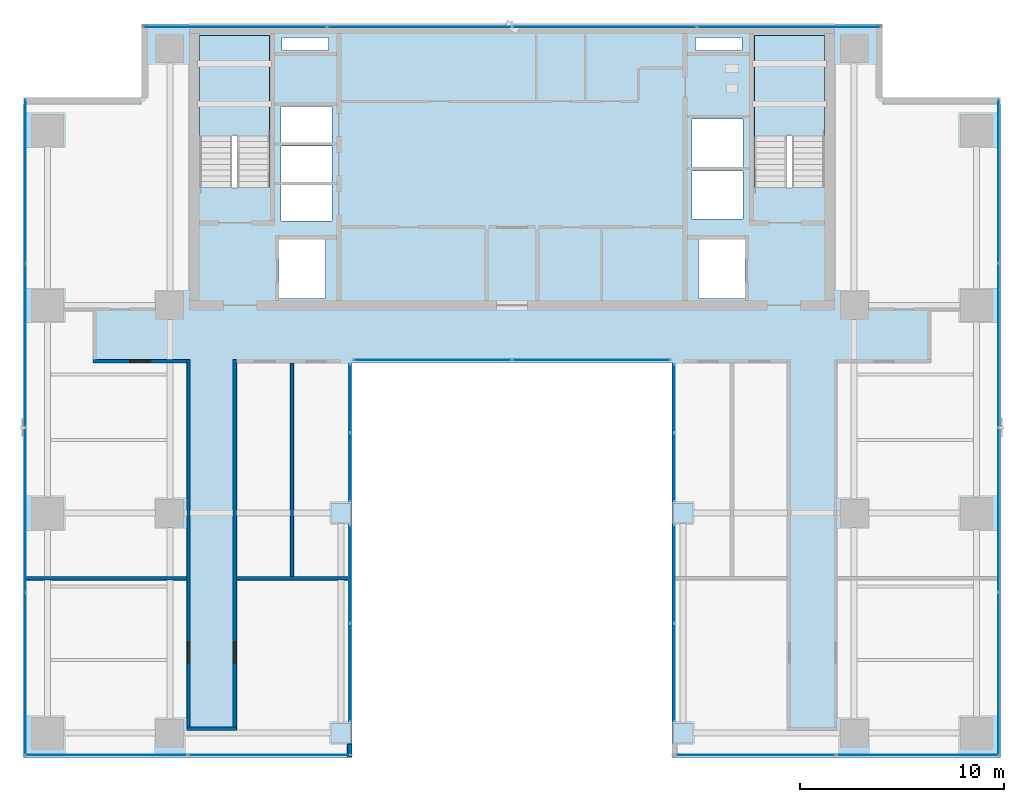
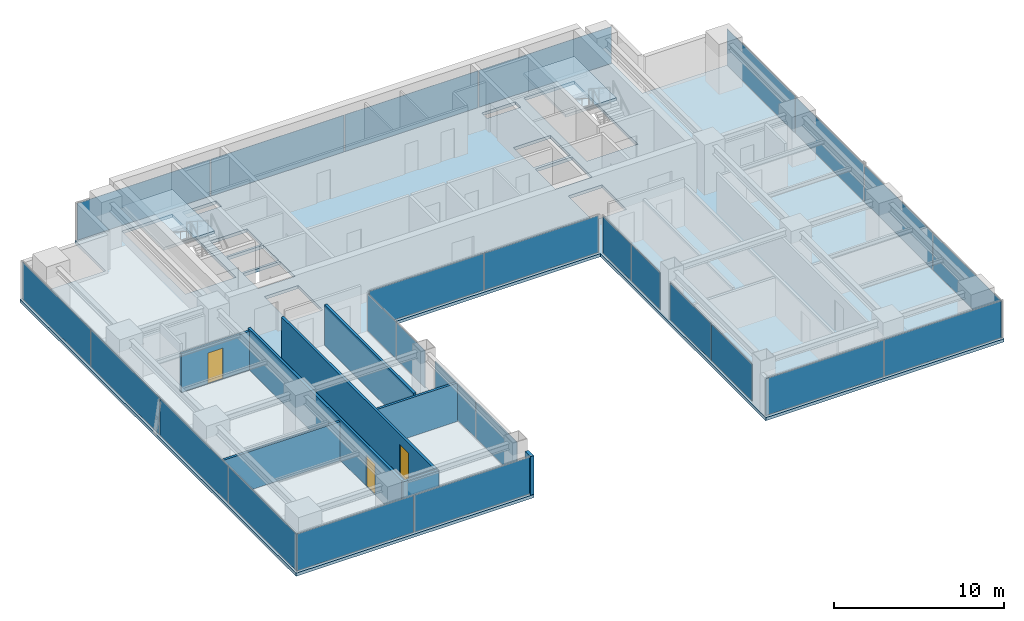
# One storey, part 23 of 29: 26 plates, 8 walls, 3 doors, 3 slabs, 3 openings, 12 elements without a shape of their own.
"""IFC4 building model written with IfcOpenShell, lengths in metres."""

from ifc_helpers import new_model, si_unit, direction, frame, frame_2d, origin, origin_2d, place, context, subcontext, project, spatial, polyline, rectangle, outline, extrude, source, transform, mapped, material, layer, layer_set, type_object, element, fill, aggregate, save


model = new_model("IFC4")

# Units and contexts
model_context = context("Model", 3, precision=1e-05, world=origin(), true_north=direction((0.0, 1.0)))
body_context = subcontext(model_context, "Body", "Model", "MODEL_VIEW")
ifc_project = project(units=[si_unit("LENGTHUNIT", "METRE"), si_unit("AREAUNIT", "SQUARE_METRE"), si_unit("VOLUMEUNIT", "CUBIC_METRE"), si_unit("PLANEANGLEUNIT", "RADIAN"), si_unit("MASSUNIT", "GRAM", prefix="KILO")], contexts=[model_context])

# Site, building, storey
site_placement = place(None, origin())
site = spatial("IfcSite", under=ifc_project, at=site_placement, CompositionType="ELEMENT")
building_placement = place(site_placement, origin())
building = spatial("IfcBuilding", under=site, at=building_placement, Name="Sumidabori Civic Tower", CompositionType="ELEMENT")
storey_placement = place(building_placement, frame((0.0, 0.0, 218.0)))
storey = spatial("IfcBuildingStorey", under=building, at=storey_placement, Name="L56", CompositionType="ELEMENT", Elevation=218.0)

# Stair, slab
ifc_material_1 = material(Name="Concrete C40/50", Category="concrete")
stair_type = type_object("IfcStairType", Name="ST-CORE-1600", PredefinedType="HALF_TURN_STAIR", material=ifc_material_1)
stair_1_placement = place(storey_placement, origin())
stair_1 = element("IfcStair", 1, at=stair_1_placement, inside=storey, type_object=stair_type, Name="L56 ST-1", PredefinedType="HALF_TURN_STAIR")
ifc_layer_1 = layer(ifc_material_1, 0.199951171875, Name="Concrete C40/50")
ifc_layer_set_1 = layer_set([ifc_layer_1], Name="Concrete C40/50")
slab_type_1 = type_object("IfcSlabType", Name="SL-LAND-200", PredefinedType="LANDING", material=ifc_layer_set_1)
slab_1_placement = place(storey_placement, frame((0.0, 0.0, 1.60009765625)))
slab_1 = element("IfcSlab", 2, at=slab_1_placement, type_object=slab_type_1, Name="ST-1 landing 1", PredefinedType="LANDING", context=body_context, shape_type="SweptSolid", body=[
    extrude(outline(polyline([(-11.89990234375, 18.52001953125), (-11.89990234375, 23.449951171875), (-15.340087890625, 23.449951171875), (-15.340087890625, 18.52001953125), (-11.89990234375, 18.52001953125)])), origin(), (0.0, 0.0, 1.0), 0.199951171875),
])
aggregate(stair_1, [slab_1])

stair_2_placement = place(storey_placement, origin())
stair_2 = element("IfcStair", 3, at=stair_2_placement, inside=storey, type_object=stair_type, Name="L56 ST-2", PredefinedType="HALF_TURN_STAIR")
slab_2_placement = place(storey_placement, frame((0.0, 0.0, 1.60009765625)))
slab_2 = element("IfcSlab", 4, at=slab_2_placement, type_object=slab_type_1, Name="ST-2 landing 1", PredefinedType="LANDING", context=body_context, shape_type="SweptSolid", body=[
    extrude(outline(polyline([(15.340087890625, 18.52001953125), (15.340087890625, 23.449951171875), (11.89990234375, 23.449951171875), (11.89990234375, 18.52001953125), (15.340087890625, 18.52001953125)])), origin(), (0.0, 0.0, 1.0), 0.199951171875),
])
aggregate(stair_2, [slab_2])

# Slab
ifc_layer_2 = layer(ifc_material_1, 0.219970703125, Name="Concrete C40/50")
ifc_layer_set_2 = layer_set([ifc_layer_2], Name="Concrete C40/50")
slab_type_2 = type_object("IfcSlabType", Name="SL-Z3-220", PredefinedType="FLOOR", material=ifc_layer_set_2)
slab_3_placement = place(storey_placement, frame((0.0, 0.0, -0.219970703125)))
element("IfcSlab", 5, at=slab_3_placement, inside=storey, type_object=slab_type_2, Name="Structural Slab L56", PredefinedType="FLOOR", context=body_context, shape_type="SweptSolid", body=[
    extrude(outline(polyline([(-24.0, -12.0), (-7.85009765625, -12.0), (-7.85009765625, 7.39990234375), (7.85009765625, 7.39990234375), (7.85009765625, -12.0), (24.0, -12.0), (24.0, 20.39990234375), (18.199951171875, 20.39990234375), (18.199951171875, 24.0), (-18.199951171875, 24.0), (-18.199951171875, 20.39990234375), (-24.0, 20.39990234375), (-24.0, -12.0)]), holes=[polyline([(-11.89990234375, 16.0), (-11.89990234375, 23.449951171875), (-15.340087890625, 23.449951171875), (-15.340087890625, 16.0), (-11.89990234375, 16.0)]), polyline([(15.340087890625, 16.0), (15.340087890625, 23.449951171875), (11.89990234375, 23.449951171875), (11.89990234375, 16.0), (15.340087890625, 16.0)]), polyline([(-11.449951171875, 10.550048828125), (-9.14990234375, 10.550048828125), (-9.14990234375, 13.449951171875), (-11.449951171875, 13.449951171875), (-11.449951171875, 10.550048828125)]), polyline([(9.14990234375, 10.550048828125), (11.449951171875, 10.550048828125), (11.449951171875, 13.449951171875), (9.14990234375, 13.449951171875), (9.14990234375, 10.550048828125)]), polyline([(-11.35009765625, 14.35009765625), (-8.85009765625, 14.35009765625), (-8.85009765625, 16.1201171875), (-11.35009765625, 16.1201171875), (-11.35009765625, 14.35009765625)]), polyline([(-11.35009765625, 16.27001953125), (-8.85009765625, 16.27001953125), (-8.85009765625, 18.0400390625), (-11.35009765625, 18.0400390625), (-11.35009765625, 16.27001953125)]), polyline([(-11.35009765625, 18.18994140625), (-8.85009765625, 18.18994140625), (-8.85009765625, 19.9599609375), (-11.35009765625, 19.9599609375), (-11.35009765625, 18.18994140625)]), polyline([(8.85009765625, 14.449951171875), (11.35009765625, 14.449951171875), (11.35009765625, 16.800048828125), (8.85009765625, 16.800048828125), (8.85009765625, 14.449951171875)]), polyline([(8.85009765625, 17.0), (11.35009765625, 17.0), (11.35009765625, 19.35009765625), (8.85009765625, 19.35009765625), (8.85009765625, 17.0)]), polyline([(-11.300048828125, 22.719970703125), (-9.0, 22.719970703125), (-9.0, 23.35009765625), (-11.300048828125, 23.35009765625), (-11.300048828125, 22.719970703125)]), polyline([(9.0, 22.719970703125), (11.300048828125, 22.719970703125), (11.300048828125, 23.35009765625), (9.0, 23.35009765625), (9.0, 22.719970703125)])]), origin(), (0.0, 0.0, 1.0), 0.219970703125),
])

# Curtain wall, plates
ifc_material_2 = material(Name="Anodised Bronze Aluminium AW-6063-T6", Category="aluminium")
ifc_layer_3 = layer(ifc_material_2, 0.179931640625, Name="Anodised Bronze Aluminium AW-6063-T6")
ifc_layer_set_3 = layer_set([ifc_layer_3], Name="Anodised Bronze Aluminium AW-6063-T6")
curtain_wall_type_1 = type_object("IfcCurtainWallType", Name="CW-SYS-5", PredefinedType="NOTDEFINED", material=ifc_layer_set_3)
curtain_wall_1_placement = place(storey_placement, origin())
curtain_wall_1 = element("IfcCurtainWall", 6, at=curtain_wall_1_placement, inside=storey, type_object=curtain_wall_type_1, Name="Curtain Wall CW:L56:R01", PredefinedType="NOTDEFINED")
ifc_material_3 = material(Name="Low-E Solar-Control Vision Glazing", Category="glass")
ifc_layer_4 = layer(ifc_material_3, 0.028076171875, Name="Low-E Solar-Control Vision Glazing")
ifc_layer_set_4 = layer_set([ifc_layer_4], Name="Low-E Solar-Control Vision Glazing")
plate_type_1 = type_object("IfcPlateType", Name="CW-PNL-28", PredefinedType="CURTAIN_PANEL", material=ifc_layer_set_4)
shared_shape_1 = source(origin(), body_context, "Body", "SweptSolid", [
    extrude(rectangle(XDim=7.955078125, YDim=0.028076171875, at=origin_2d()), origin(), (0.0, 0.0, 1.0), 2.639892578125),
])
plate_1_placement = place(storey_placement, frame((-19.9326171875, -11.8798828125, 0.06005859375), z_axis=(0.0, 0.0, 1.0), x_axis=(1.0, 0.0, 0.0)))
plate_1 = element("IfcPlate", 7, at=plate_1_placement, type_object=plate_type_1, Name="CW-5 panel 1.1", PredefinedType="CURTAIN_PANEL", context=body_context, shape_type="MappedRepresentation", body=[
    mapped(shared_shape_1, transform((0.0, 0.0, 0.0), x_axis=(1.0, 0.0, 0.0), y_axis=(0.0, 1.0, 0.0), z_axis=(0.0, 0.0, 1.0), scale=1.0)),
])
plate_2_placement = place(storey_placement, frame((-11.91748046875, -11.8798828125, 0.06005859375), z_axis=(0.0, 0.0, 1.0), x_axis=(1.0, 0.0, 0.0)))
plate_2 = element("IfcPlate", 8, at=plate_2_placement, type_object=plate_type_1, Name="CW-5 panel 2.1", PredefinedType="CURTAIN_PANEL", context=body_context, shape_type="MappedRepresentation", body=[
    mapped(shared_shape_1, transform((0.0, 0.0, 0.0), x_axis=(1.0, 0.0, 0.0), y_axis=(0.0, 1.0, 0.0), z_axis=(0.0, 0.0, 1.0), scale=1.0)),
])
aggregate(curtain_wall_1, [plate_1, plate_2])

curtain_wall_2_placement = place(storey_placement, origin())
curtain_wall_2 = element("IfcCurtainWall", 9, at=curtain_wall_2_placement, inside=storey, type_object=curtain_wall_type_1, Name="Curtain Wall CW:L56:R09", PredefinedType="NOTDEFINED")
plate_3_placement = place(storey_placement, frame((11.91748046875, -11.8798828125, 0.06005859375), z_axis=(0.0, 0.0, 1.0), x_axis=(1.0, 0.0, 0.0)))
plate_3 = element("IfcPlate", 10, at=plate_3_placement, type_object=plate_type_1, Name="CW-5 panel 1.1", PredefinedType="CURTAIN_PANEL", context=body_context, shape_type="MappedRepresentation", body=[
    mapped(shared_shape_1, transform((0.0, 0.0, 0.0), x_axis=(1.0, 0.0, 0.0), y_axis=(0.0, 1.0, 0.0), z_axis=(0.0, 0.0, 1.0), scale=1.0)),
])
plate_4_placement = place(storey_placement, frame((19.9326171875, -11.8798828125, 0.06005859375), z_axis=(0.0, 0.0, 1.0), x_axis=(1.0, 0.0, 0.0)))
plate_4 = element("IfcPlate", 11, at=plate_4_placement, type_object=plate_type_1, Name="CW-5 panel 2.1", PredefinedType="CURTAIN_PANEL", context=body_context, shape_type="MappedRepresentation", body=[
    mapped(shared_shape_1, transform((0.0, 0.0, 0.0), x_axis=(1.0, 0.0, 0.0), y_axis=(0.0, 1.0, 0.0), z_axis=(0.0, 0.0, 1.0), scale=1.0)),
])
aggregate(curtain_wall_2, [plate_3, plate_4])

ifc_layer_5 = layer(ifc_material_2, 0.179931640625, Name="Anodised Bronze Aluminium AW-6063-T6")
ifc_layer_set_5 = layer_set([ifc_layer_5], Name="Anodised Bronze Aluminium AW-6063-T6")
curtain_wall_type_2 = type_object("IfcCurtainWallType", Name="CW-SYS-4", PredefinedType="NOTDEFINED", material=ifc_layer_set_5)
curtain_wall_3_placement = place(storey_placement, origin())
curtain_wall_3 = element("IfcCurtainWall", 12, at=curtain_wall_3_placement, inside=storey, type_object=curtain_wall_type_2, Name="Curtain Wall CW:L56:R03", PredefinedType="NOTDEFINED")
ifc_material_4 = material(Name="Acoustic Laminated Portal Glazing", Category="glass")
ifc_layer_6 = layer(ifc_material_4, 0.030029296875, Name="Acoustic Laminated Portal Glazing")
ifc_layer_set_6 = layer_set([ifc_layer_6], Name="Acoustic Laminated Portal Glazing")
plate_type_2 = type_object("IfcPlateType", Name="CW-PNL-30", PredefinedType="CURTAIN_PANEL", material=ifc_layer_set_6)
shared_shape_2 = source(origin(), body_context, "Body", "SweptSolid", [
    extrude(rectangle(XDim=4.780029296875, YDim=0.030029296875, at=origin_2d()), origin(), (0.0, 0.0, 1.0), 2.639892578125),
])
plate_5_placement = place(storey_placement, frame((-7.969970703125, -7.820068359375, 0.06005859375), z_axis=(0.0, 0.0, 1.0), x_axis=(0.0, 1.0, 0.0)))
plate_5 = element("IfcPlate", 13, at=plate_5_placement, type_object=plate_type_2, Name="CW-4 panel 1.1", PredefinedType="CURTAIN_PANEL", context=body_context, shape_type="MappedRepresentation", body=[
    mapped(shared_shape_2, transform((0.0, 0.0, 0.0), x_axis=(1.0, 0.0, 0.0), y_axis=(0.0, 1.0, 0.0), z_axis=(0.0, 0.0, 1.0), scale=1.0)),
])
plate_6_placement = place(storey_placement, frame((-7.969970703125, -2.97998046875, 0.06005859375), z_axis=(0.0, 0.0, 1.0), x_axis=(0.0, 1.0, 0.0)))
plate_6 = element("IfcPlate", 14, at=plate_6_placement, type_object=plate_type_2, Name="CW-4 panel 2.1", PredefinedType="CURTAIN_PANEL", context=body_context, shape_type="MappedRepresentation", body=[
    mapped(shared_shape_2, transform((0.0, 0.0, 0.0), x_axis=(1.0, 0.0, 0.0), y_axis=(0.0, 1.0, 0.0), z_axis=(0.0, 0.0, 1.0), scale=1.0)),
])
aggregate(curtain_wall_3, [plate_5, plate_6])

curtain_wall_4_placement = place(storey_placement, origin())
curtain_wall_4 = element("IfcCurtainWall", 15, at=curtain_wall_4_placement, inside=storey, type_object=curtain_wall_type_2, Name="Curtain Wall CW:L56:R07", PredefinedType="NOTDEFINED")
plate_7_placement = place(storey_placement, frame((7.969970703125, -2.97998046875, 0.06005859375), z_axis=(0.0, 0.0, 1.0), x_axis=(0.0, -1.0, 0.0)))
plate_7 = element("IfcPlate", 16, at=plate_7_placement, type_object=plate_type_2, Name="CW-4 panel 1.1", PredefinedType="CURTAIN_PANEL", context=body_context, shape_type="MappedRepresentation", body=[
    mapped(shared_shape_2, transform((0.0, 0.0, 0.0), x_axis=(1.0, 0.0, 0.0), y_axis=(0.0, 1.0, 0.0), z_axis=(0.0, 0.0, 1.0), scale=1.0)),
])
plate_8_placement = place(storey_placement, frame((7.969970703125, -7.820068359375, 0.06005859375), z_axis=(0.0, 0.0, 1.0), x_axis=(0.0, -1.0, 0.0)))
plate_8 = element("IfcPlate", 17, at=plate_8_placement, type_object=plate_type_2, Name="CW-4 panel 2.1", PredefinedType="CURTAIN_PANEL", context=body_context, shape_type="MappedRepresentation", body=[
    mapped(shared_shape_2, transform((0.0, 0.0, 0.0), x_axis=(1.0, 0.0, 0.0), y_axis=(0.0, 1.0, 0.0), z_axis=(0.0, 0.0, 1.0), scale=1.0)),
])
aggregate(curtain_wall_4, [plate_7, plate_8])

curtain_wall_5_placement = place(storey_placement, origin())
curtain_wall_5 = element("IfcCurtainWall", 18, at=curtain_wall_5_placement, inside=storey, type_object=curtain_wall_type_2, Name="Curtain Wall CW:L56:R04", PredefinedType="NOTDEFINED")
shared_shape_3 = source(origin(), body_context, "Body", "SweptSolid", [
    extrude(rectangle(XDim=3.330078125, YDim=0.030029296875, at=origin_2d()), origin(), (0.0, 0.0, 1.0), 2.639892578125),
])
plate_9_placement = place(storey_placement, frame((-7.969970703125, 2.2548828125, 0.06005859375), z_axis=(0.0, 0.0, 1.0), x_axis=(0.0, 1.0, 0.0)))
plate_9 = element("IfcPlate", 19, at=plate_9_placement, type_object=plate_type_2, Name="CW-4 panel 1.1", PredefinedType="CURTAIN_PANEL", context=body_context, shape_type="MappedRepresentation", body=[
    mapped(shared_shape_3, transform((0.0, 0.0, 0.0), x_axis=(1.0, 0.0, 0.0), y_axis=(0.0, 1.0, 0.0), z_axis=(0.0, 0.0, 1.0), scale=1.0)),
])
plate_10_placement = place(storey_placement, frame((-7.969970703125, 5.64501953125, 0.06005859375), z_axis=(0.0, 0.0, 1.0), x_axis=(0.0, 1.0, 0.0)))
plate_10 = element("IfcPlate", 20, at=plate_10_placement, type_object=plate_type_2, Name="CW-4 panel 2.1", PredefinedType="CURTAIN_PANEL", context=body_context, shape_type="MappedRepresentation", body=[
    mapped(shared_shape_3, transform((0.0, 0.0, 0.0), x_axis=(1.0, 0.0, 0.0), y_axis=(0.0, 1.0, 0.0), z_axis=(0.0, 0.0, 1.0), scale=1.0)),
])
aggregate(curtain_wall_5, [plate_9, plate_10])

curtain_wall_6_placement = place(storey_placement, origin())
curtain_wall_6 = element("IfcCurtainWall", 21, at=curtain_wall_6_placement, inside=storey, type_object=curtain_wall_type_2, Name="Curtain Wall CW:L56:R06", PredefinedType="NOTDEFINED")
plate_11_placement = place(storey_placement, frame((7.969970703125, 5.64501953125, 0.06005859375), z_axis=(0.0, 0.0, 1.0), x_axis=(0.0, -1.0, 0.0)))
plate_11 = element("IfcPlate", 22, at=plate_11_placement, type_object=plate_type_2, Name="CW-4 panel 1.1", PredefinedType="CURTAIN_PANEL", context=body_context, shape_type="MappedRepresentation", body=[
    mapped(shared_shape_3, transform((0.0, 0.0, 0.0), x_axis=(1.0, 0.0, 0.0), y_axis=(0.0, 1.0, 0.0), z_axis=(0.0, 0.0, 1.0), scale=1.0)),
])
plate_12_placement = place(storey_placement, frame((7.969970703125, 2.2548828125, 0.06005859375), z_axis=(0.0, 0.0, 1.0), x_axis=(0.0, -1.0, 0.0)))
plate_12 = element("IfcPlate", 23, at=plate_12_placement, type_object=plate_type_2, Name="CW-4 panel 2.1", PredefinedType="CURTAIN_PANEL", context=body_context, shape_type="MappedRepresentation", body=[
    mapped(shared_shape_3, transform((0.0, 0.0, 0.0), x_axis=(1.0, 0.0, 0.0), y_axis=(0.0, 1.0, 0.0), z_axis=(0.0, 0.0, 1.0), scale=1.0)),
])
aggregate(curtain_wall_6, [plate_11, plate_12])

curtain_wall_7_placement = place(storey_placement, origin())
curtain_wall_7 = element("IfcCurtainWall", 24, at=curtain_wall_7_placement, inside=storey, type_object=curtain_wall_type_2, Name="Curtain Wall CW:L56:R05", PredefinedType="NOTDEFINED")
shared_shape_4 = source(origin(), body_context, "Body", "SweptSolid", [
    extrude(rectangle(XDim=7.72998046875, YDim=0.030029296875, at=origin_2d()), origin(), (0.0, 0.0, 1.0), 2.639892578125),
])
plate_13_placement = place(storey_placement, frame((-3.89501953125, 7.52001953125, 0.06005859375), z_axis=(0.0, 0.0, 1.0), x_axis=(1.0, 0.0, 0.0)))
plate_13 = element("IfcPlate", 25, at=plate_13_placement, type_object=plate_type_2, Name="CW-4 panel 1.1", PredefinedType="CURTAIN_PANEL", context=body_context, shape_type="MappedRepresentation", body=[
    mapped(shared_shape_4, transform((0.0, 0.0, 0.0), x_axis=(1.0, 0.0, 0.0), y_axis=(0.0, 1.0, 0.0), z_axis=(0.0, 0.0, 1.0), scale=1.0)),
])
plate_14_placement = place(storey_placement, frame((3.89501953125, 7.52001953125, 0.06005859375), z_axis=(0.0, 0.0, 1.0), x_axis=(1.0, 0.0, 0.0)))
plate_14 = element("IfcPlate", 26, at=plate_14_placement, type_object=plate_type_2, Name="CW-4 panel 2.1", PredefinedType="CURTAIN_PANEL", context=body_context, shape_type="MappedRepresentation", body=[
    mapped(shared_shape_4, transform((0.0, 0.0, 0.0), x_axis=(1.0, 0.0, 0.0), y_axis=(0.0, 1.0, 0.0), z_axis=(0.0, 0.0, 1.0), scale=1.0)),
])
aggregate(curtain_wall_7, [plate_13, plate_14])

curtain_wall_8_placement = place(storey_placement, origin())
curtain_wall_8 = element("IfcCurtainWall", 27, at=curtain_wall_8_placement, inside=storey, type_object=curtain_wall_type_1, Name="Curtain Wall CW:L56:R10", PredefinedType="NOTDEFINED")
shared_shape_5 = source(origin(), body_context, "Body", "SweptSolid", [
    extrude(rectangle(XDim=7.9951171875, YDim=0.028076171875, at=origin_2d()), origin(), (0.0, 0.0, 1.0), 2.639892578125),
])
plate_15_placement = place(storey_placement, frame((23.8798828125, -7.91259765625, 0.06005859375), z_axis=(0.0, 0.0, 1.0), x_axis=(0.0, 1.0, 0.0)))
plate_15 = element("IfcPlate", 28, at=plate_15_placement, type_object=plate_type_1, Name="CW-5 panel 1.1", PredefinedType="CURTAIN_PANEL", context=body_context, shape_type="MappedRepresentation", body=[
    mapped(shared_shape_5, transform((0.0, 0.0, 0.0), x_axis=(1.0, 0.0, 0.0), y_axis=(0.0, 1.0, 0.0), z_axis=(0.0, 0.0, 1.0), scale=1.0)),
])
plate_16_placement = place(storey_placement, frame((23.8798828125, 16.3125, 0.06005859375), z_axis=(0.0, 0.0, 1.0), x_axis=(0.0, 1.0, 0.0)))
plate_16 = element("IfcPlate", 29, at=plate_16_placement, type_object=plate_type_1, Name="CW-5 panel 4.1", PredefinedType="CURTAIN_PANEL", context=body_context, shape_type="MappedRepresentation", body=[
    mapped(shared_shape_5, transform((0.0, 0.0, 0.0), x_axis=(1.0, 0.0, 0.0), y_axis=(0.0, 1.0, 0.0), z_axis=(0.0, 0.0, 1.0), scale=1.0)),
])

curtain_wall_9_placement = place(storey_placement, origin())
curtain_wall_9 = element("IfcCurtainWall", 30, at=curtain_wall_9_placement, inside=storey, type_object=curtain_wall_type_1, Name="Curtain Wall CW:L56:R16", PredefinedType="NOTDEFINED")
plate_17_placement = place(storey_placement, frame((-23.8798828125, 16.3125, 0.06005859375), z_axis=(0.0, 0.0, 1.0), x_axis=(0.0, -1.0, 0.0)))
plate_17 = element("IfcPlate", 31, at=plate_17_placement, type_object=plate_type_1, Name="CW-5 panel 1.1", PredefinedType="CURTAIN_PANEL", context=body_context, shape_type="MappedRepresentation", body=[
    mapped(shared_shape_5, transform((0.0, 0.0, 0.0), x_axis=(1.0, 0.0, 0.0), y_axis=(0.0, 1.0, 0.0), z_axis=(0.0, 0.0, 1.0), scale=1.0)),
])
plate_18_placement = place(storey_placement, frame((-23.8798828125, -7.91259765625, 0.06005859375), z_axis=(0.0, 0.0, 1.0), x_axis=(0.0, -1.0, 0.0)))
plate_18 = element("IfcPlate", 32, at=plate_18_placement, type_object=plate_type_1, Name="CW-5 panel 4.1", PredefinedType="CURTAIN_PANEL", context=body_context, shape_type="MappedRepresentation", body=[
    mapped(shared_shape_5, transform((0.0, 0.0, 0.0), x_axis=(1.0, 0.0, 0.0), y_axis=(0.0, 1.0, 0.0), z_axis=(0.0, 0.0, 1.0), scale=1.0)),
])

# Plate
shared_shape_6 = source(origin(), body_context, "Body", "SweptSolid", [
    extrude(rectangle(XDim=8.02490234375, YDim=0.028076171875, at=origin_2d()), origin(), (0.0, 0.0, 1.0), 2.639892578125),
])
plate_19_placement = place(storey_placement, frame((23.8798828125, 0.157470703125, 0.06005859375), z_axis=(0.0, 0.0, 1.0), x_axis=(0.0, 1.0, 0.0)))
plate_19 = element("IfcPlate", 33, at=plate_19_placement, type_object=plate_type_1, Name="CW-5 panel 2.1", PredefinedType="CURTAIN_PANEL", context=body_context, shape_type="MappedRepresentation", body=[
    mapped(shared_shape_6, transform((0.0, 0.0, 0.0), x_axis=(1.0, 0.0, 0.0), y_axis=(0.0, 1.0, 0.0), z_axis=(0.0, 0.0, 1.0), scale=1.0)),
])

plate_20_placement = place(storey_placement, frame((23.8798828125, 8.242431640625, 0.06005859375), z_axis=(0.0, 0.0, 1.0), x_axis=(0.0, 1.0, 0.0)))
plate_20 = element("IfcPlate", 34, at=plate_20_placement, type_object=plate_type_1, Name="CW-5 panel 3.1", PredefinedType="CURTAIN_PANEL", context=body_context, shape_type="MappedRepresentation", body=[
    mapped(shared_shape_6, transform((0.0, 0.0, 0.0), x_axis=(1.0, 0.0, 0.0), y_axis=(0.0, 1.0, 0.0), z_axis=(0.0, 0.0, 1.0), scale=1.0)),
])

aggregate(curtain_wall_8, [plate_15, plate_19, plate_20, plate_16])

plate_21_placement = place(storey_placement, frame((-23.8798828125, 8.242431640625, 0.06005859375), z_axis=(0.0, 0.0, 1.0), x_axis=(0.0, -1.0, 0.0)))
plate_21 = element("IfcPlate", 35, at=plate_21_placement, type_object=plate_type_1, Name="CW-5 panel 2.1", PredefinedType="CURTAIN_PANEL", context=body_context, shape_type="MappedRepresentation", body=[
    mapped(shared_shape_6, transform((0.0, 0.0, 0.0), x_axis=(1.0, 0.0, 0.0), y_axis=(0.0, 1.0, 0.0), z_axis=(0.0, 0.0, 1.0), scale=1.0)),
])

plate_22_placement = place(storey_placement, frame((-23.8798828125, 0.157470703125, 0.06005859375), z_axis=(0.0, 0.0, 1.0), x_axis=(0.0, -1.0, 0.0)))
plate_22 = element("IfcPlate", 36, at=plate_22_placement, type_object=plate_type_1, Name="CW-5 panel 3.1", PredefinedType="CURTAIN_PANEL", context=body_context, shape_type="MappedRepresentation", body=[
    mapped(shared_shape_6, transform((0.0, 0.0, 0.0), x_axis=(1.0, 0.0, 0.0), y_axis=(0.0, 1.0, 0.0), z_axis=(0.0, 0.0, 1.0), scale=1.0)),
])

aggregate(curtain_wall_9, [plate_17, plate_21, plate_22, plate_18])

# Curtain wall, plates
curtain_wall_10_placement = place(storey_placement, origin())
curtain_wall_10 = element("IfcCurtainWall", 37, at=curtain_wall_10_placement, inside=storey, type_object=curtain_wall_type_1, Name="Curtain Wall CW:L56:R13", PredefinedType="NOTDEFINED")
shared_shape_7 = source(origin(), body_context, "Body", "SweptSolid", [
    extrude(rectangle(XDim=8.9951171875, YDim=0.028076171875, at=origin_2d()), origin(), (0.0, 0.0, 1.0), 2.639892578125),
])
plate_23_placement = place(storey_placement, frame((13.612548828125, 23.8798828125, 0.06005859375), z_axis=(0.0, 0.0, 1.0), x_axis=(-1.0, 0.0, 0.0)))
plate_23 = element("IfcPlate", 38, at=plate_23_placement, type_object=plate_type_1, Name="CW-5 panel 1.1", PredefinedType="CURTAIN_PANEL", context=body_context, shape_type="MappedRepresentation", body=[
    mapped(shared_shape_7, transform((0.0, 0.0, 0.0), x_axis=(1.0, 0.0, 0.0), y_axis=(0.0, 1.0, 0.0), z_axis=(0.0, 0.0, 1.0), scale=1.0)),
])
plate_24_placement = place(storey_placement, frame((-13.612548828125, 23.8798828125, 0.06005859375), z_axis=(0.0, 0.0, 1.0), x_axis=(-1.0, 0.0, 0.0)))
plate_24 = element("IfcPlate", 39, at=plate_24_placement, type_object=plate_type_1, Name="CW-5 panel 4.1", PredefinedType="CURTAIN_PANEL", context=body_context, shape_type="MappedRepresentation", body=[
    mapped(shared_shape_7, transform((0.0, 0.0, 0.0), x_axis=(1.0, 0.0, 0.0), y_axis=(0.0, 1.0, 0.0), z_axis=(0.0, 0.0, 1.0), scale=1.0)),
])
shared_shape_8 = source(origin(), body_context, "Body", "SweptSolid", [
    extrude(rectangle(XDim=9.02490234375, YDim=0.028076171875, at=origin_2d()), origin(), (0.0, 0.0, 1.0), 2.639892578125),
])
plate_25_placement = place(storey_placement, frame((4.54248046875, 23.8798828125, 0.06005859375), z_axis=(0.0, 0.0, 1.0), x_axis=(-1.0, 0.0, 0.0)))
plate_25 = element("IfcPlate", 40, at=plate_25_placement, type_object=plate_type_1, Name="CW-5 panel 2.1", PredefinedType="CURTAIN_PANEL", context=body_context, shape_type="MappedRepresentation", body=[
    mapped(shared_shape_8, transform((0.0, 0.0, 0.0), x_axis=(1.0, 0.0, 0.0), y_axis=(0.0, 1.0, 0.0), z_axis=(0.0, 0.0, 1.0), scale=1.0)),
])
plate_26_placement = place(storey_placement, frame((-4.54248046875, 23.8798828125, 0.06005859375), z_axis=(0.0, 0.0, 1.0), x_axis=(-1.0, 0.0, 0.0)))
plate_26 = element("IfcPlate", 41, at=plate_26_placement, type_object=plate_type_1, Name="CW-5 panel 3.1", PredefinedType="CURTAIN_PANEL", context=body_context, shape_type="MappedRepresentation", body=[
    mapped(shared_shape_8, transform((0.0, 0.0, 0.0), x_axis=(1.0, 0.0, 0.0), y_axis=(0.0, 1.0, 0.0), z_axis=(0.0, 0.0, 1.0), scale=1.0)),
])
aggregate(curtain_wall_10, [plate_23, plate_25, plate_26, plate_24])

# Wall
ifc_material_5 = material(Name="Precast concrete C40/50", Category="concrete")
ifc_layer_7 = layer(ifc_material_5, 0.300048828125, Name="Precast concrete C40/50")
ifc_layer_set_7 = layer_set([ifc_layer_7], Name="Precast concrete C40/50")
wall_type_1 = type_object("IfcWallType", Name="WL-EXT-POD300", PredefinedType="STANDARD", material=ifc_layer_set_7)
shared_shape_9 = source(origin(), body_context, "Body", "SweptSolid", [
    extrude(rectangle(XDim=0.639892578125, YDim=0.239990234375, at=frame_2d((0.31982421875, 0.0))), origin(), (0.0, 0.0, 1.0), 2.760009765625),
])
wall_1_placement = place(storey_placement, frame((-7.969970703125, -11.969970703125, 0.0), z_axis=(0.0, 0.0, 1.0), x_axis=(0.0, 1.0, 0.0)))
element("IfcWall", 42, at=wall_1_placement, inside=storey, type_object=wall_type_1, Name="Perimeter Pier Spandrel L56-02", PredefinedType="STANDARD", context=body_context, shape_type="MappedRepresentation", body=[
    mapped(shared_shape_9, transform((0.0, 0.0, 0.0), x_axis=(1.0, 0.0, 0.0), y_axis=(0.0, 1.0, 0.0), z_axis=(0.0, 0.0, 1.0), scale=1.0)),
])

# Wall, opening, door
ifc_material_6 = material(Name="Gypsum Plasterboard Acoustic Partition")
ifc_layer_8 = layer(ifc_material_6, 0.1650390625, Name="Gypsum Plasterboard Acoustic Partition")
ifc_layer_set_8 = layer_set([ifc_layer_8], Name="Gypsum Plasterboard Acoustic Partition")
wall_type_2 = type_object("IfcWallType", Name="WL-PART-165", PredefinedType="PARTITIONING", material=ifc_layer_set_8)
shared_shape_10 = source(origin(), body_context, "Body", "SweptSolid", [
    extrude(rectangle(XDim=4.599853515625, YDim=0.1650390625, at=frame_2d((2.2998046875, 0.0))), origin(), (0.0, 0.0, 1.0), 2.764892578125),
])
wall_2_placement = place(storey_placement, frame((-20.56494140625, 7.467529296875, 0.0), z_axis=(0.0, 0.0, 1.0), x_axis=(1.0, 0.0, 0.0)))
wall_2 = element("IfcWall", 43, at=wall_2_placement, inside=storey, type_object=wall_type_2, Name="Interior Partition WL:L56:CORR-SWO", PredefinedType="PARTITIONING", context=body_context, shape_type="MappedRepresentation", body=[
    mapped(shared_shape_10, transform((0.0, 0.0, 0.0), x_axis=(1.0, 0.0, 0.0), y_axis=(0.0, 1.0, 0.0), z_axis=(0.0, 0.0, 1.0), scale=1.0)),
])
opening_1_placement = place(wall_2_placement, frame((1.782470703125, 0.0, 0.0)))
opening_1 = element("IfcOpeningElement", 44, at=opening_1_placement, cuts=wall_2, Name="Opening DR-4", PredefinedType="OPENING", context=body_context, shape_type="SweptSolid", body=[
    extrude(rectangle(XDim=1.0400390625, YDim=2.199951171875, at=frame_2d((0.52001953125, 1.10009765625))), frame((0.0, 0.094482421875, 0.0), z_axis=(0.0, -1.0, 0.0), x_axis=(1.0, 0.0, 0.0)), (0.0, 0.0, 1.0), 0.18896484375),
])
ifc_material_7 = material(Name="Japanese Hinoki Timber", Category="wood")
door_type = type_object("IfcDoorType", Name="DR-INT-1040", OperationType="NOTDEFINED", PredefinedType="DOOR", material=ifc_material_7)
shared_shape_11 = source(origin(), body_context, "Body", "SweptSolid", [
    extrude(rectangle(XDim=1.0400390625, YDim=2.199951171875, at=frame_2d((0.52001953125, 1.10009765625))), frame((0.0, 0.02490234375, 0.0), z_axis=(0.0, -1.0, 0.0), x_axis=(1.0, 0.0, 0.0)), (0.0, 0.0, 1.0), 0.050048828125),
])
door_1_placement = place(opening_1_placement, origin())
door_1 = element("IfcDoor", 45, at=door_1_placement, inside=storey, type_object=door_type, Name="Door DR:L56:D03", OperationType="SINGLE_SWING_LEFT", OverallHeight=2.199951171875, OverallWidth=1.0400390625, PredefinedType="DOOR", context=body_context, shape_type="MappedRepresentation", body=[
    mapped(shared_shape_11, transform((0.0, 0.0, 0.0), x_axis=(1.0, 0.0, 0.0), y_axis=(0.0, 1.0, 0.0), z_axis=(0.0, 0.0, 1.0), scale=1.0)),
])
fill(opening_1, door_1)

# Wall
shared_shape_12 = source(origin(), body_context, "Body", "SweptSolid", [
    extrude(rectangle(XDim=2.43017578125, YDim=0.1650390625, at=frame_2d((1.215087890625, 0.0))), origin(), (0.0, 0.0, 1.0), 2.9150390625),
])
wall_3_placement = place(storey_placement, frame((-15.965087890625, -10.58251953125, 0.0), z_axis=(0.0, 0.0, 1.0), x_axis=(1.0, 0.0, 0.0)))
element("IfcWall", 46, at=wall_3_placement, inside=storey, type_object=wall_type_2, Name="Interior Partition WL:L56:CORR-CAP-W", PredefinedType="PARTITIONING", context=body_context, shape_type="MappedRepresentation", body=[
    mapped(shared_shape_12, transform((0.0, 0.0, 0.0), x_axis=(1.0, 0.0, 0.0), y_axis=(0.0, 1.0, 0.0), z_axis=(0.0, 0.0, 1.0), scale=1.0)),
])

# Wall, opening, door
shared_shape_13 = source(origin(), body_context, "Body", "SweptSolid", [
    extrude(rectangle(XDim=18.045166015625, YDim=0.1650390625, at=frame_2d((9.0224609375, 0.0))), origin(), (0.0, 0.0, 1.0), 2.9150390625),
])
wall_4_placement = place(storey_placement, frame((-15.882568359375, -10.4951171875, 0.0), z_axis=(0.0, 0.0, 1.0), x_axis=(0.0, 1.0, 0.0)))
wall_4 = element("IfcWall", 47, at=wall_4_placement, inside=storey, type_object=wall_type_2, Name="Interior Partition WL:L56:CORR-VPW-O", PredefinedType="PARTITIONING", context=body_context, shape_type="MappedRepresentation", body=[
    mapped(shared_shape_13, transform((0.0, 0.0, 0.0), x_axis=(1.0, 0.0, 0.0), y_axis=(0.0, 1.0, 0.0), z_axis=(0.0, 0.0, 1.0), scale=1.0)),
])
opening_2_placement = place(wall_4_placement, frame((3.146240234375, 0.0, 0.0)))
opening_2 = element("IfcOpeningElement", 48, at=opening_2_placement, cuts=wall_4, Name="Opening DR-4", PredefinedType="OPENING", context=body_context, shape_type="SweptSolid", body=[
    extrude(rectangle(XDim=1.0400390625, YDim=2.199951171875, at=frame_2d((0.52001953125, 1.10009765625))), frame((0.0, 0.094482421875, 0.0), z_axis=(0.0, -1.0, 0.0), x_axis=(1.0, 0.0, 0.0)), (0.0, 0.0, 1.0), 0.18896484375),
])
door_2_placement = place(opening_2_placement, origin())
door_2 = element("IfcDoor", 49, at=door_2_placement, inside=storey, type_object=door_type, Name="Door DR:L56:D09", OperationType="SINGLE_SWING_LEFT", OverallHeight=2.199951171875, OverallWidth=1.0400390625, PredefinedType="DOOR", context=body_context, shape_type="MappedRepresentation", body=[
    mapped(shared_shape_11, transform((0.0, 0.0, 0.0), x_axis=(1.0, 0.0, 0.0), y_axis=(0.0, 1.0, 0.0), z_axis=(0.0, 0.0, 1.0), scale=1.0)),
])
fill(opening_2, door_2)

wall_5_placement = place(storey_placement, frame((-13.617431640625, -10.4951171875, 0.0), z_axis=(0.0, 0.0, 1.0), x_axis=(0.0, 1.0, 0.0)))
wall_5 = element("IfcWall", 50, at=wall_5_placement, inside=storey, type_object=wall_type_2, Name="Interior Partition WL:L56:CORR-VPW-I", PredefinedType="PARTITIONING", context=body_context, shape_type="MappedRepresentation", body=[
    mapped(shared_shape_13, transform((0.0, 0.0, 0.0), x_axis=(1.0, 0.0, 0.0), y_axis=(0.0, 1.0, 0.0), z_axis=(0.0, 0.0, 1.0), scale=1.0)),
])
opening_3_placement = place(wall_5_placement, frame((3.146240234375, 0.0, 0.0)))
opening_3 = element("IfcOpeningElement", 51, at=opening_3_placement, cuts=wall_5, Name="Opening DR-4", PredefinedType="OPENING", context=body_context, shape_type="SweptSolid", body=[
    extrude(rectangle(XDim=1.0400390625, YDim=2.199951171875, at=frame_2d((0.52001953125, 1.10009765625))), frame((0.0, 0.094482421875, 0.0), z_axis=(0.0, -1.0, 0.0), x_axis=(1.0, 0.0, 0.0)), (0.0, 0.0, 1.0), 0.18896484375),
])
door_3_placement = place(opening_3_placement, origin())
door_3 = element("IfcDoor", 52, at=door_3_placement, inside=storey, type_object=door_type, Name="Door DR:L56:D11", OperationType="SINGLE_SWING_LEFT", OverallHeight=2.199951171875, OverallWidth=1.0400390625, PredefinedType="DOOR", context=body_context, shape_type="MappedRepresentation", body=[
    mapped(shared_shape_11, transform((0.0, 0.0, 0.0), x_axis=(1.0, 0.0, 0.0), y_axis=(0.0, 1.0, 0.0), z_axis=(0.0, 0.0, 1.0), scale=1.0)),
])
fill(opening_3, door_3)

# Walls
shared_shape_14 = source(origin(), body_context, "Body", "SweptSolid", [
    extrude(rectangle(XDim=7.880126953125, YDim=0.1650390625, at=frame_2d((3.93994140625, 0.0))), origin(), (0.0, 0.0, 1.0), 2.764892578125),
])
wall_6_placement = place(storey_placement, frame((-23.85009765625, -3.199951171875, 0.0), z_axis=(0.0, 0.0, 1.0), x_axis=(1.0, 0.0, 0.0)))
element("IfcWall", 53, at=wall_6_placement, inside=storey, type_object=wall_type_2, Name="Interior Partition WL:L56:BAND-YW-1", PredefinedType="PARTITIONING", context=body_context, shape_type="MappedRepresentation", body=[
    mapped(shared_shape_14, transform((0.0, 0.0, 0.0), x_axis=(1.0, 0.0, 0.0), y_axis=(0.0, 1.0, 0.0), z_axis=(0.0, 0.0, 1.0), scale=1.0)),
])
shared_shape_15 = source(origin(), body_context, "Body", "SweptSolid", [
    extrude(rectangle(XDim=5.530029296875, YDim=0.1650390625, at=frame_2d((2.76513671875, 0.0))), origin(), (0.0, 0.0, 1.0), 2.764892578125),
])
wall_7_placement = place(storey_placement, frame((-13.530029296875, -3.199951171875, 0.0), z_axis=(0.0, 0.0, 1.0), x_axis=(1.0, 0.0, 0.0)))
element("IfcWall", 54, at=wall_7_placement, inside=storey, type_object=wall_type_2, Name="Interior Partition WL:L56:BAND-YW-2", PredefinedType="PARTITIONING", context=body_context, shape_type="MappedRepresentation", body=[
    mapped(shared_shape_15, transform((0.0, 0.0, 0.0), x_axis=(1.0, 0.0, 0.0), y_axis=(0.0, 1.0, 0.0), z_axis=(0.0, 0.0, 1.0), scale=1.0)),
])
shared_shape_16 = source(origin(), body_context, "Body", "SweptSolid", [
    extrude(rectangle(XDim=10.492431640625, YDim=0.1650390625, at=frame_2d((5.24609375, 0.0))), origin(), (0.0, 0.0, 1.0), 2.9150390625),
])
wall_8_placement = place(storey_placement, frame((-10.800048828125, -3.112548828125, 0.0), z_axis=(0.0, 0.0, 1.0), x_axis=(0.0, 1.0, 0.0)))
element("IfcWall", 55, at=wall_8_placement, inside=storey, type_object=wall_type_2, Name="Interior Partition WL:L56:VX-N1", PredefinedType="PARTITIONING", context=body_context, shape_type="MappedRepresentation", body=[
    mapped(shared_shape_16, transform((0.0, 0.0, 0.0), x_axis=(1.0, 0.0, 0.0), y_axis=(0.0, 1.0, 0.0), z_axis=(0.0, 0.0, 1.0), scale=1.0)),
])

save(model, "model.ifc")
